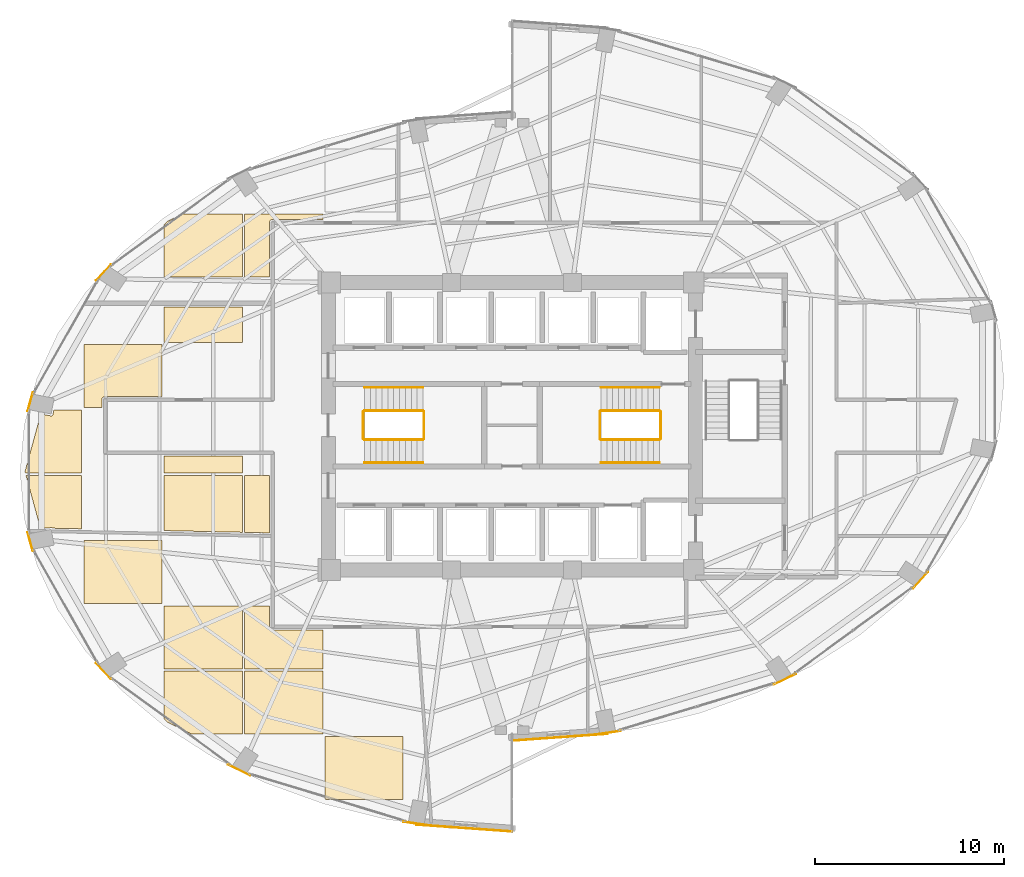
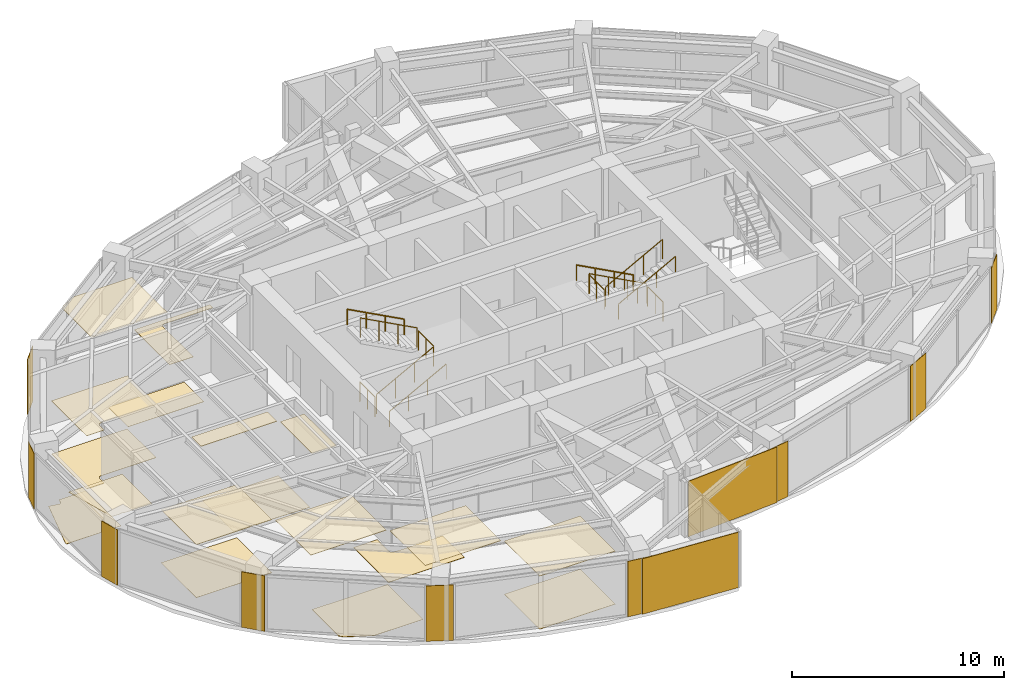
# One storey, part 23 of 24: 29 coverings, 12 railings.
"""IFC4 building model written with IfcOpenShell, lengths in metres."""

from ifc_helpers import new_model, si_unit, direction, frame, origin, origin_2d, place, context, subcontext, project, spatial, polyline, rectangle, circle, outline, extrude, material, layer, layer_set, type_object, element, save


model = new_model("IFC4")

# Units and contexts
model_context = context("Model", 3, precision=1e-05, world=origin(), true_north=direction((0.0, 1.0)))
body_context = subcontext(model_context, "Body", "Model", "MODEL_VIEW")
ifc_project = project(units=[si_unit("LENGTHUNIT", "METRE"), si_unit("AREAUNIT", "SQUARE_METRE"), si_unit("VOLUMEUNIT", "CUBIC_METRE"), si_unit("PLANEANGLEUNIT", "RADIAN"), si_unit("MASSUNIT", "GRAM", prefix="KILO")], contexts=[model_context])

# Site, building, storey
site_placement = place(None, origin())
site = spatial("IfcSite", under=ifc_project, at=site_placement, CompositionType="ELEMENT")
building_placement = place(site_placement, origin())
building = spatial("IfcBuilding", under=site, at=building_placement, Name="Lazwardi Medical Tower", CompositionType="ELEMENT")
storey_placement = place(building_placement, frame((0.0, 0.0, 129.16796875)))
storey = spatial("IfcBuildingStorey", under=building, at=storey_placement, Name="L33", CompositionType="ELEMENT", Elevation=129.16796875)

# Coverings
ifc_material_1 = material(Name="Anodised bronze aluminium cassette cladding", Category="aluminium")
ifc_layer_1 = layer(ifc_material_1, 0.030029296875)
ifc_layer_set_1 = layer_set([ifc_layer_1], Name="Anodised bronze aluminium cassette cladding")
covering_type_1 = type_object("IfcCoveringType", Name="COV-CLD-BRZ", PredefinedType="CLADDING", material=ifc_layer_set_1)
covering_1_placement = place(storey_placement, frame((41.064208984375, 11.80322265625, 0.0), z_axis=(0.0, 0.0, 1.0), x_axis=(0.989609019093, 0.143784523955, 0.0)))
element("IfcCovering", 1, at=covering_1_placement, inside=storey, type_object=covering_type_1, Name="L33 Mega-column bronze cassette cover M01", PredefinedType="CLADDING", context=body_context, shape_type="SweptSolid", body=[
    extrude(rectangle(XDim=1.392333984375, YDim=0.030029296875, at=origin_2d()), origin(), (0.0, 0.0, 1.0), 3.197998046875),
])
covering_2_placement = place(storey_placement, frame((50.421875, 14.634521484375, 0.0), z_axis=(0.0, 0.0, 1.0), x_axis=(0.898679250201, 0.438606435495, 0.0)))
element("IfcCovering", 2, at=covering_2_placement, inside=storey, type_object=covering_type_1, Name="L33 Mega-column bronze cassette cover M02", PredefinedType="CLADDING", context=body_context, shape_type="SweptSolid", body=[
    extrude(rectangle(XDim=1.2998046875, YDim=0.030029296875, at=origin_2d()), origin(), (0.0, 0.0, 1.0), 3.197998046875),
])
for number, where, z_axis, x_axis, name in (
    (3, (57.583740234375, 19.86572265625, 0.0), (0.0, 0.0, 1.0), (0.674925949214, 0.737885467453, 0.0), "L33 Mega-column bronze cassette cover M03"),
    (4, (14.416259765625, 36.13427734375, 0.0), (0.0, 0.0, 1.0), (-0.674925949214, -0.737885467453, 0.0), "L33 Mega-column bronze cassette cover M11"),
):
    element("IfcCovering", number, at=place(storey_placement, frame(where, z_axis=z_axis, x_axis=x_axis)), inside=storey, type_object=covering_type_1, Name=name, PredefinedType="CLADDING", context=body_context, shape_type="SweptSolid", body=[
        extrude(rectangle(XDim=1.15625, YDim=0.030029296875, at=origin_2d()), origin(), (0.0, 0.0, 1.0), 3.197998046875),
    ])
for number, where, z_axis, x_axis, name in (
    (5, (10.540283203125, 29.299072265625, 0.0), (0.0, 0.0, 1.0), (-0.262696108164, -0.964878621774, 0.0), "L33 Mega-column bronze cassette cover M12"),
    (6, (10.540283203125, 21.90087890625, 0.0), (0.0, 0.0, 1.0), (0.262696108164, -0.964878621774, 0.0), "L33 Mega-column bronze cassette cover M13"),
):
    element("IfcCovering", number, at=place(storey_placement, frame(where, z_axis=z_axis, x_axis=x_axis)), inside=storey, type_object=covering_type_1, Name=name, PredefinedType="CLADDING", context=body_context, shape_type="SweptSolid", body=[
        extrude(rectangle(XDim=1.04296875, YDim=0.030029296875, at=origin_2d()), origin(), (0.0, 0.0, 1.0), 3.197998046875),
    ])
covering_3_placement = place(storey_placement, frame((14.416259765625, 15.06591796875, 0.0), z_axis=(0.0, 0.0, 1.0), x_axis=(0.674925949214, -0.737885467453, 0.0)))
element("IfcCovering", 7, at=covering_3_placement, inside=storey, type_object=covering_type_1, Name="L33 Mega-column bronze cassette cover M14", PredefinedType="CLADDING", context=body_context, shape_type="SweptSolid", body=[
    extrude(rectangle(XDim=1.15625, YDim=0.030029296875, at=origin_2d()), origin(), (0.0, 0.0, 1.0), 3.197998046875),
])
covering_4_placement = place(storey_placement, frame((21.578125, 9.83447265625, 0.0), z_axis=(0.0, 0.0, 1.0), x_axis=(0.898679250201, -0.438606435495, 0.0)))
element("IfcCovering", 8, at=covering_4_placement, inside=storey, type_object=covering_type_1, Name="L33 Mega-column bronze cassette cover M15", PredefinedType="CLADDING", context=body_context, shape_type="SweptSolid", body=[
    extrude(rectangle(XDim=1.2998046875, YDim=0.030029296875, at=origin_2d()), origin(), (0.0, 0.0, 1.0), 3.197998046875),
])
covering_5_placement = place(storey_placement, frame((30.935791015625, 7.00341796875, 0.0), z_axis=(0.0, 0.0, 1.0), x_axis=(0.989609019093, -0.143784523955, 0.0)))
element("IfcCovering", 9, at=covering_5_placement, inside=storey, type_object=covering_type_1, Name="L33 Mega-column bronze cassette cover M16", PredefinedType="CLADDING", context=body_context, shape_type="SweptSolid", body=[
    extrude(rectangle(XDim=1.392333984375, YDim=0.030029296875, at=origin_2d()), origin(), (0.0, 0.0, 1.0), 3.197998046875),
])
ifc_material_2 = material(Name="Turquoise glazed ceramic tilework cladding", Category="masonry")
ifc_layer_2 = layer(ifc_material_2, 0.034912109375)
ifc_layer_set_2 = layer_set([ifc_layer_2], Name="Turquoise glazed ceramic tilework cladding")
covering_type_2 = type_object("IfcCoveringType", Name="COV-CLD-TRQ", PredefinedType="CLADDING", material=ifc_layer_set_2)
covering_6_placement = place(storey_placement, frame((38.533203125, 11.56591796875, 0.0), z_axis=(0.0, 0.0, 1.0), x_axis=(0.997431665415, 0.07162452672, 0.0)))
element("IfcCovering", 10, at=covering_6_placement, inside=storey, type_object=covering_type_2, Name="L33 Turquoise glazed ceramic tilework cladding", PredefinedType="CLADDING", context=body_context, shape_type="SweptSolid", body=[
    extrude(rectangle(XDim=5.05419921875, YDim=0.034912109375, at=origin_2d()), origin(), (0.0, 0.0, 1.0), 3.197998046875),
])
covering_7_placement = place(storey_placement, frame((33.466552734375, 6.76611328125, 0.0), z_axis=(0.0, 0.0, 1.0), x_axis=(0.997431165357, -0.071631490105, 0.0)))
element("IfcCovering", 11, at=covering_7_placement, inside=storey, type_object=covering_type_2, Name="L33 Turquoise glazed ceramic tilework cladding", PredefinedType="CLADDING", context=body_context, shape_type="SweptSolid", body=[
    extrude(rectangle(XDim=5.0537109375, YDim=0.034912109375, at=origin_2d()), origin(), (0.0, 0.0, 1.0), 3.197998046875),
])
ifc_material_3 = material(Name="Acoustic mineral fibre tile")
ifc_layer_3 = layer(ifc_material_3, 0.02490234375)
ifc_layer_set_3 = layer_set([ifc_layer_3], Name="Acoustic mineral fibre tile")
covering_type_3 = type_object("IfcCoveringType", Name="COV-CLG-01", PredefinedType="CEILING", material=ifc_layer_set_3)
covering_8_placement = place(storey_placement, frame((0.0, 0.0, 3.052978515625)))
element("IfcCovering", 12, at=covering_8_placement, inside=storey, type_object=covering_type_3, Name="L33 Clinical Acoustic Ceiling 1", PredefinedType="CEILING", context=body_context, shape_type="SweptSolid", body=[
    extrude(outline(polyline([(10.314208984375, 25.412353515625), (11.0732421875, 22.630859375), (11.49560546875, 22.62158203125), (11.643798828125, 22.651123046875), (11.6513671875, 22.652099609375), (11.6591796875, 22.652587890625), (11.6669921875, 22.652099609375), (11.6748046875, 22.651123046875), (11.682373046875, 22.649169921875), (11.689697265625, 22.646484375), (11.697021484375, 22.643310546875), (11.70361328125, 22.63916015625), (11.7099609375, 22.634521484375), (11.7158203125, 22.62939453125), (11.720947265625, 22.62353515625), (11.7255859375, 22.6171875), (11.72607421875, 22.61669921875), (13.2529296875, 22.58349609375), (13.2529296875, 25.412353515625), (10.314208984375, 25.412353515625)])), origin(), (0.0, 0.0, 1.0), 0.025146484375),
])
covering_9_placement = place(storey_placement, frame((0.0, 0.0, 3.052978515625)))
element("IfcCovering", 13, at=covering_9_placement, inside=storey, type_object=covering_type_3, Name="L33 Clinical Acoustic Ceiling 2", PredefinedType="CEILING", context=body_context, shape_type="SweptSolid", body=[
    extrude(outline(polyline([(17.5029296875, 18.63232421875), (17.5029296875, 21.96240234375), (13.372802734375, 21.96240234375), (13.372802734375, 18.63232421875), (17.5029296875, 18.63232421875)])), origin(), (0.0, 0.0, 1.0), 0.025146484375),
])
covering_10_placement = place(storey_placement, frame((0.0, 0.0, 3.052978515625)))
element("IfcCovering", 14, at=covering_10_placement, inside=storey, type_object=covering_type_3, Name="L33 Clinical Acoustic Ceiling 3", PredefinedType="CEILING", context=body_context, shape_type="SweptSolid", body=[
    extrude(outline(polyline([(14.324951171875, 28.982421875), (14.324951171875, 29.39990234375), (14.3251953125, 29.404296875), (14.32568359375, 29.41357421875), (14.326416015625, 29.42041015625), (14.32763671875, 29.4296875), (14.3291015625, 29.43798828125), (14.33154296875, 29.447265625), (14.33349609375, 29.4541015625), (14.336669921875, 29.462890625), (14.340087890625, 29.470703125), (14.343994140625, 29.479248046875), (14.34765625, 29.486083984375), (14.352294921875, 29.493896484375), (14.35693359375, 29.500732421875), (14.362548828125, 29.50830078125), (14.3671875, 29.513916015625), (14.373291015625, 29.520751953125), (14.37939453125, 29.526611328125), (14.38623046875, 29.532958984375), (14.391845703125, 29.53759765625), (14.3994140625, 29.543212890625), (14.406005859375, 29.547607421875), (14.4140625, 29.552490234375), (14.4208984375, 29.555908203125), (14.42919921875, 29.56005859375), (14.43701171875, 29.563232421875), (14.44580078125, 29.56640625), (14.452880859375, 29.568603515625), (14.4619140625, 29.57080078125), (14.47021484375, 29.572509765625), (14.4794921875, 29.57373046875), (14.486328125, 29.574462890625), (14.49560546875, 29.574951171875), (14.5, 29.574951171875), (17.5029296875, 29.574951171875), (17.5029296875, 32.3125), (13.372802734375, 32.3125), (13.372802734375, 28.982421875), (14.324951171875, 28.982421875)])), origin(), (0.0, 0.0, 1.0), 0.025146484375),
])
covering_11_placement = place(storey_placement, frame((0.0, 0.0, 3.052978515625)))
element("IfcCovering", 15, at=covering_11_placement, inside=storey, type_object=covering_type_3, Name="L33 Clinical Acoustic Ceiling 4", PredefinedType="CEILING", context=body_context, shape_type="SweptSolid", body=[
    extrude(outline(polyline([(21.7529296875, 15.182373046875), (21.7529296875, 18.512451171875), (17.622802734375, 18.512451171875), (17.622802734375, 15.182373046875), (21.7529296875, 15.182373046875)])), origin(), (0.0, 0.0, 1.0), 0.025146484375),
])
covering_12_placement = place(storey_placement, frame((0.0, 0.0, 3.052978515625)))
element("IfcCovering", 16, at=covering_12_placement, inside=storey, type_object=covering_type_3, Name="L33 Clinical Acoustic Ceiling 5", PredefinedType="CEILING", context=body_context, shape_type="SweptSolid", body=[
    extrude(outline(polyline([(21.7529296875, 26.425048828125), (17.622802734375, 26.425048828125), (17.622802734375, 25.532470703125), (21.7529296875, 25.532470703125), (21.7529296875, 26.425048828125)])), origin(), (0.0, 0.0, 1.0), 0.025146484375),
])
covering_13_placement = place(storey_placement, frame((0.0, 0.0, 3.052978515625)))
element("IfcCovering", 17, at=covering_13_placement, inside=storey, type_object=covering_type_3, Name="L33 Clinical Acoustic Ceiling 6", PredefinedType="CEILING", context=body_context, shape_type="SweptSolid", body=[
    extrude(outline(polyline([(18.55078125, 39.21240234375), (17.791259765625, 38.84228515625), (17.622802734375, 38.658935546875), (17.622802734375, 35.88232421875), (21.7529296875, 35.88232421875), (21.7529296875, 39.21240234375), (18.55078125, 39.21240234375)])), origin(), (0.0, 0.0, 1.0), 0.025146484375),
])
covering_14_placement = place(storey_placement, frame((0.0, 0.0, 3.052978515625)))
element("IfcCovering", 18, at=covering_14_placement, inside=storey, type_object=covering_type_3, Name="L33 Clinical Acoustic Ceiling 7", PredefinedType="CEILING", context=body_context, shape_type="SweptSolid", body=[
    extrude(outline(polyline([(26.0029296875, 11.732421875), (26.0029296875, 15.0625), (21.872802734375, 15.0625), (21.872802734375, 11.732421875), (26.0029296875, 11.732421875)])), origin(), (0.0, 0.0, 1.0), 0.025146484375),
])
covering_15_placement = place(storey_placement, frame((0.0, 0.0, 3.052978515625)))
element("IfcCovering", 19, at=covering_15_placement, inside=storey, type_object=covering_type_3, Name="L33 Clinical Acoustic Ceiling 8", PredefinedType="CEILING", context=body_context, shape_type="SweptSolid", body=[
    extrude(outline(polyline([(21.872802734375, 22.396728515625), (23.175048828125, 22.36865234375), (23.175048828125, 25.412353515625), (21.872802734375, 25.412353515625), (21.872802734375, 22.396728515625)])), origin(), (0.0, 0.0, 1.0), 0.025146484375),
])
covering_16_placement = place(storey_placement, frame((0.0, 0.0, 3.052978515625)))
element("IfcCovering", 20, at=covering_16_placement, inside=storey, type_object=covering_type_3, Name="L33 Clinical Acoustic Ceiling 9", PredefinedType="CEILING", context=body_context, shape_type="SweptSolid", body=[
    extrude(outline(polyline([(26.122802734375, 8.2998046875), (26.142822265625, 8.2900390625), (26.195068359375, 8.282470703125), (30.2529296875, 8.282470703125), (30.2529296875, 11.6123046875), (26.122802734375, 11.6123046875), (26.122802734375, 8.2998046875)])), origin(), (0.0, 0.0, 1.0), 0.025146484375),
])
ifc_material_4 = material(Name="Anti-static hospital vinyl sheet flooring")
ifc_layer_4 = layer(ifc_material_4, 0.014892578125)
ifc_layer_set_4 = layer_set([ifc_layer_4], Name="Anti-static hospital vinyl sheet flooring")
covering_type_4 = type_object("IfcCoveringType", Name="COV-FLR-01", PredefinedType="FLOORING", material=ifc_layer_set_4)
covering_17_placement = place(storey_placement, origin())
element("IfcCovering", 21, at=covering_17_placement, inside=storey, type_object=covering_type_4, Name="L33 Clinical Vinyl Flooring 1", PredefinedType="FLOORING", context=body_context, shape_type="SweptSolid", body=[
    extrude(outline(polyline([(11.78759765625, 28.8623046875), (11.73779296875, 28.61181640625), (11.73583984375, 28.604248046875), (11.733154296875, 28.5966796875), (11.72998046875, 28.589599609375), (11.725830078125, 28.5830078125), (11.72119140625, 28.57666015625), (11.7158203125, 28.57080078125), (11.710205078125, 28.565673828125), (11.70361328125, 28.560791015625), (11.697021484375, 28.556884765625), (11.68994140625, 28.553466796875), (11.6826171875, 28.55078125), (11.6748046875, 28.548828125), (11.6669921875, 28.5478515625), (11.6591796875, 28.54736328125), (11.651611328125, 28.5478515625), (11.643798828125, 28.548828125), (11.097412109375, 28.65771484375), (10.262939453125, 25.60009765625), (10.281494140625, 25.532470703125), (13.2529296875, 25.532470703125), (13.2529296875, 28.8623046875), (11.78759765625, 28.8623046875)])), origin(), (0.0, 0.0, 1.0), 0.01513671875),
])
covering_18_placement = place(storey_placement, origin())
element("IfcCovering", 22, at=covering_18_placement, inside=storey, type_object=covering_type_4, Name="L33 Clinical Vinyl Flooring 2", PredefinedType="FLOORING", context=body_context, shape_type="SweptSolid", body=[
    extrude(outline(polyline([(17.5029296875, 18.63232421875), (17.5029296875, 21.96240234375), (13.372802734375, 21.96240234375), (13.372802734375, 18.63232421875), (17.5029296875, 18.63232421875)])), origin(), (0.0, 0.0, 1.0), 0.01513671875),
])
covering_19_placement = place(storey_placement, origin())
element("IfcCovering", 23, at=covering_19_placement, inside=storey, type_object=covering_type_4, Name="L33 Clinical Vinyl Flooring 3", PredefinedType="FLOORING", context=body_context, shape_type="SweptSolid", body=[
    extrude(outline(polyline([(14.324951171875, 28.982421875), (14.324951171875, 29.39990234375), (14.3251953125, 29.404296875), (14.32568359375, 29.41357421875), (14.326416015625, 29.42041015625), (14.32763671875, 29.4296875), (14.3291015625, 29.43798828125), (14.33154296875, 29.447265625), (14.33349609375, 29.4541015625), (14.336669921875, 29.462890625), (14.340087890625, 29.470703125), (14.343994140625, 29.479248046875), (14.34765625, 29.486083984375), (14.352294921875, 29.493896484375), (14.35693359375, 29.500732421875), (14.362548828125, 29.50830078125), (14.3671875, 29.513916015625), (14.373291015625, 29.520751953125), (14.37939453125, 29.526611328125), (14.38623046875, 29.532958984375), (14.391845703125, 29.53759765625), (14.3994140625, 29.543212890625), (14.406005859375, 29.547607421875), (14.4140625, 29.552490234375), (14.4208984375, 29.555908203125), (14.42919921875, 29.56005859375), (14.43701171875, 29.563232421875), (14.44580078125, 29.56640625), (14.452880859375, 29.568603515625), (14.4619140625, 29.57080078125), (14.47021484375, 29.572509765625), (14.4794921875, 29.57373046875), (14.486328125, 29.574462890625), (14.49560546875, 29.574951171875), (14.5, 29.574951171875), (17.5029296875, 29.574951171875), (17.5029296875, 32.3125), (13.372802734375, 32.3125), (13.372802734375, 28.982421875), (14.324951171875, 28.982421875)])), origin(), (0.0, 0.0, 1.0), 0.01513671875),
])
covering_20_placement = place(storey_placement, origin())
element("IfcCovering", 24, at=covering_20_placement, inside=storey, type_object=covering_type_4, Name="L33 Clinical Vinyl Flooring 4", PredefinedType="FLOORING", context=body_context, shape_type="SweptSolid", body=[
    extrude(outline(polyline([(17.622802734375, 12.541015625), (17.791259765625, 12.357666015625), (19.07470703125, 11.732421875), (21.7529296875, 11.732421875), (21.7529296875, 15.0625), (17.622802734375, 15.0625), (17.622802734375, 12.541015625)])), origin(), (0.0, 0.0, 1.0), 0.01513671875),
])
covering_21_placement = place(storey_placement, origin())
element("IfcCovering", 25, at=covering_21_placement, inside=storey, type_object=covering_type_4, Name="L33 Clinical Vinyl Flooring 5", PredefinedType="FLOORING", context=body_context, shape_type="SweptSolid", body=[
    extrude(outline(polyline([(17.622802734375, 22.489013671875), (21.7529296875, 22.3994140625), (21.7529296875, 25.412353515625), (17.622802734375, 25.412353515625), (17.622802734375, 22.489013671875)])), origin(), (0.0, 0.0, 1.0), 0.01513671875),
])
covering_22_placement = place(storey_placement, origin())
element("IfcCovering", 26, at=covering_22_placement, inside=storey, type_object=covering_type_4, Name="L33 Clinical Vinyl Flooring 6", PredefinedType="FLOORING", context=body_context, shape_type="SweptSolid", body=[
    extrude(outline(polyline([(21.7529296875, 34.300048828125), (17.622802734375, 34.300048828125), (17.622802734375, 32.432373046875), (21.7529296875, 32.432373046875), (21.7529296875, 34.300048828125)])), origin(), (0.0, 0.0, 1.0), 0.01513671875),
])
covering_23_placement = place(storey_placement, origin())
element("IfcCovering", 27, at=covering_23_placement, inside=storey, type_object=covering_type_4, Name="L33 Clinical Vinyl Flooring 7", PredefinedType="FLOORING", context=body_context, shape_type="SweptSolid", body=[
    extrude(outline(polyline([(26.0029296875, 17.22509765625), (23.35009765625, 17.22509765625), (23.345703125, 17.22509765625), (23.33642578125, 17.2255859375), (23.32958984375, 17.226318359375), (23.3203125, 17.2275390625), (23.31201171875, 17.229248046875), (23.302734375, 17.2314453125), (23.2958984375, 17.233642578125), (23.287109375, 17.23681640625), (23.279296875, 17.239990234375), (23.270751953125, 17.243896484375), (23.263916015625, 17.24755859375), (23.256103515625, 17.25244140625), (23.249267578125, 17.2568359375), (23.24169921875, 17.262451171875), (23.236083984375, 17.26708984375), (23.229248046875, 17.273193359375), (23.223388671875, 17.279296875), (23.217041015625, 17.2861328125), (23.21240234375, 17.291748046875), (23.206787109375, 17.29931640625), (23.202392578125, 17.305908203125), (23.197509765625, 17.31396484375), (23.194091796875, 17.32080078125), (23.18994140625, 17.3291015625), (23.186767578125, 17.3369140625), (23.18359375, 17.345703125), (23.181396484375, 17.352783203125), (23.17919921875, 17.36181640625), (23.177490234375, 17.370361328125), (23.17626953125, 17.37939453125), (23.175537109375, 17.386474609375), (23.175048828125, 17.395751953125), (23.175048828125, 17.39990234375), (23.175048828125, 18.512451171875), (21.872802734375, 18.512451171875), (21.872802734375, 15.182373046875), (26.0029296875, 15.182373046875), (26.0029296875, 17.22509765625)])), origin(), (0.0, 0.0, 1.0), 0.01513671875),
])
covering_24_placement = place(storey_placement, origin())
element("IfcCovering", 28, at=covering_24_placement, inside=storey, type_object=covering_type_4, Name="L33 Clinical Vinyl Flooring 8", PredefinedType="FLOORING", context=body_context, shape_type="SweptSolid", body=[
    extrude(outline(polyline([(23.175048828125, 35.88232421875), (23.175048828125, 38.75), (23.175048828125, 38.75439453125), (23.175537109375, 38.763671875), (23.17626953125, 38.7705078125), (23.177490234375, 38.77978515625), (23.17919921875, 38.7880859375), (23.181396484375, 38.797119140625), (23.18359375, 38.80419921875), (23.186767578125, 38.81298828125), (23.18994140625, 38.82080078125), (23.194091796875, 38.8291015625), (23.197509765625, 38.8359375), (23.202392578125, 38.843994140625), (23.206787109375, 38.8505859375), (23.21240234375, 38.858154296875), (23.217041015625, 38.86376953125), (23.223388671875, 38.87060546875), (23.229248046875, 38.876708984375), (23.236083984375, 38.8828125), (23.24169921875, 38.887451171875), (23.249267578125, 38.89306640625), (23.256103515625, 38.897705078125), (23.263916015625, 38.90234375), (23.270751953125, 38.906005859375), (23.279296875, 38.909912109375), (23.287109375, 38.913330078125), (23.2958984375, 38.91650390625), (23.302734375, 38.91845703125), (23.31201171875, 38.9208984375), (23.3203125, 38.92236328125), (23.32958984375, 38.923583984375), (23.33642578125, 38.92431640625), (23.345703125, 38.9248046875), (23.35009765625, 38.925048828125), (26.0029296875, 38.925048828125), (26.0029296875, 39.21240234375), (21.872802734375, 39.21240234375), (21.872802734375, 35.88232421875), (23.175048828125, 35.88232421875)])), origin(), (0.0, 0.0, 1.0), 0.01513671875),
])
covering_25_placement = place(storey_placement, origin())
element("IfcCovering", 29, at=covering_25_placement, inside=storey, type_object=covering_type_4, Name="L33 Clinical Vinyl Flooring 9", PredefinedType="FLOORING", context=body_context, shape_type="SweptSolid", body=[
    extrude(outline(polyline([(26.122802734375, 8.2998046875), (26.142822265625, 8.2900390625), (26.195068359375, 8.282470703125), (30.2529296875, 8.282470703125), (30.2529296875, 11.6123046875), (26.122802734375, 11.6123046875), (26.122802734375, 8.2998046875)])), origin(), (0.0, 0.0, 1.0), 0.01513671875),
])

# Railings
ifc_material_5 = material(Name="Stainless steel Grade 316", Category="steel")
railing_type_1 = type_object("IfcRailingType", Name="RLG-GRD-1150", PredefinedType="GUARDRAIL", material=ifc_material_5)
railing_1_placement = place(storey_placement, frame((28.199951171875, 27.2900390625, 0.165771484375)))
element("IfcRailing", 30, at=railing_1_placement, inside=storey, type_object=railing_type_1, Name="L33 ST1 stair guard 1", PredefinedType="GUARDRAIL", context=body_context, shape_type="SweptSolid", body=[
    extrude(circle(Radius=0.02392578125, at=origin_2d()), frame((0.0, 0.0, 1.1259765625), z_axis=(0.881783298633, 0.0, 0.471654761719), x_axis=(0.0, 1.0, 0.0)), (0.0, 0.0, 1.0), 3.515625),
    extrude(circle(Radius=0.02099609375, at=origin_2d()), origin(), (0.0, 0.0, 1.0), 1.099853515625),
    extrude(circle(Radius=0.02099609375, at=origin_2d()), frame((1.033447265625, 0.0, 0.552734375)), (0.0, 0.0, 1.0), 1.099853515625),
    extrude(circle(Radius=0.02099609375, at=origin_2d()), frame((2.066650390625, 0.0, 1.10546875)), (0.0, 0.0, 1.0), 1.099853515625),
    extrude(circle(Radius=0.02099609375, at=origin_2d()), frame((3.10009765625, 0.0, 1.658203125)), (0.0, 0.0, 1.0), 1.099853515625),
])
railing_2_placement = place(storey_placement, frame((31.35009765625, 27.340087890625, 1.823974609375)))
element("IfcRailing", 31, at=railing_2_placement, inside=storey, type_object=railing_type_1, Name="L33 ST1 stair guard 2", PredefinedType="GUARDRAIL", context=body_context, shape_type="SweptSolid", body=[
    extrude(circle(Radius=0.02392578125, at=origin_2d()), frame((0.0, 0.0, 1.1259765625), z_axis=(0.0, 1.0, 0.0), x_axis=(-1.0, 0.0, 0.0)), (0.0, 0.0, 1.0), 1.43994140625),
    extrude(circle(Radius=0.02099609375, at=origin_2d()), origin(), (0.0, 0.0, 1.0), 1.099853515625),
    extrude(circle(Radius=0.02099609375, at=origin_2d()), frame((0.0, 0.719970703125, 0.0)), (0.0, 0.0, 1.0), 1.099853515625),
    extrude(circle(Radius=0.02099609375, at=origin_2d()), frame((0.0, 1.43994140625, 0.0)), (0.0, 0.0, 1.0), 1.099853515625),
])
railing_3_placement = place(storey_placement, frame((31.300048828125, 28.830078125, 1.98974609375)))
element("IfcRailing", 32, at=railing_3_placement, inside=storey, type_object=railing_type_1, Name="L33 ST1 stair guard 3", PredefinedType="GUARDRAIL", context=body_context, shape_type="SweptSolid", body=[
    extrude(circle(Radius=0.02392578125, at=origin_2d()), frame((0.0, 0.0, 1.1259765625), z_axis=(-0.881783298633, 0.0, 0.471654761719), x_axis=(0.0, -1.0, 0.0)), (0.0, 0.0, 1.0), 3.515625),
    extrude(circle(Radius=0.02099609375, at=origin_2d()), origin(), (0.0, 0.0, 1.0), 1.099853515625),
    extrude(circle(Radius=0.02099609375, at=origin_2d()), frame((-1.033447265625, 0.0, 0.552734375)), (0.0, 0.0, 1.0), 1.099853515625),
    extrude(circle(Radius=0.02099609375, at=origin_2d()), frame((-2.066650390625, 0.0, 1.10546875)), (0.0, 0.0, 1.0), 1.099853515625),
    extrude(circle(Radius=0.02099609375, at=origin_2d()), frame((-3.10009765625, 0.0, 1.658203125)), (0.0, 0.0, 1.0), 1.099853515625),
])
railing_4_placement = place(storey_placement, frame((28.14990234375, 27.340087890625, 0.0)))
element("IfcRailing", 33, at=railing_4_placement, inside=storey, type_object=railing_type_1, Name="L33 ST1 stair guard 4", PredefinedType="GUARDRAIL", context=body_context, shape_type="SweptSolid", body=[
    extrude(circle(Radius=0.02392578125, at=origin_2d()), frame((0.0, 0.0, 1.1259765625), z_axis=(0.0, 1.0, 0.0), x_axis=(-1.0, 0.0, 0.0)), (0.0, 0.0, 1.0), 1.43994140625),
    extrude(circle(Radius=0.02099609375, at=origin_2d()), origin(), (0.0, 0.0, 1.0), 1.099853515625),
    extrude(circle(Radius=0.02099609375, at=origin_2d()), frame((0.0, 0.719970703125, 0.0)), (0.0, 0.0, 1.0), 1.099853515625),
    extrude(circle(Radius=0.02099609375, at=origin_2d()), frame((0.0, 1.43994140625, 0.0)), (0.0, 0.0, 1.0), 1.099853515625),
])
railing_5_placement = place(storey_placement, frame((43.800048828125, 28.830078125, 0.165771484375)))
element("IfcRailing", 34, at=railing_5_placement, inside=storey, type_object=railing_type_1, Name="L33 ST2 stair guard 1", PredefinedType="GUARDRAIL", context=body_context, shape_type="SweptSolid", body=[
    extrude(circle(Radius=0.02392578125, at=origin_2d()), frame((0.0, 0.0, 1.1259765625), z_axis=(-0.881783298633, 0.0, 0.471654761719), x_axis=(0.0, -1.0, 0.0)), (0.0, 0.0, 1.0), 3.515625),
    extrude(circle(Radius=0.02099609375, at=origin_2d()), origin(), (0.0, 0.0, 1.0), 1.099853515625),
    extrude(circle(Radius=0.02099609375, at=origin_2d()), frame((-1.033447265625, 0.0, 0.552734375)), (0.0, 0.0, 1.0), 1.099853515625),
    extrude(circle(Radius=0.02099609375, at=origin_2d()), frame((-2.066650390625, 0.0, 1.10546875)), (0.0, 0.0, 1.0), 1.099853515625),
    extrude(circle(Radius=0.02099609375, at=origin_2d()), frame((-3.10009765625, 0.0, 1.658203125)), (0.0, 0.0, 1.0), 1.099853515625),
])
railing_6_placement = place(storey_placement, frame((40.64990234375, 28.780029296875, 1.823974609375)))
element("IfcRailing", 35, at=railing_6_placement, inside=storey, type_object=railing_type_1, Name="L33 ST2 stair guard 2", PredefinedType="GUARDRAIL", context=body_context, shape_type="SweptSolid", body=[
    extrude(circle(Radius=0.02392578125, at=origin_2d()), frame((0.0, 0.0, 1.1259765625), z_axis=(0.0, -1.0, 0.0), x_axis=(1.0, 0.0, 0.0)), (0.0, 0.0, 1.0), 1.43994140625),
    extrude(circle(Radius=0.02099609375, at=origin_2d()), origin(), (0.0, 0.0, 1.0), 1.099853515625),
    extrude(circle(Radius=0.02099609375, at=origin_2d()), frame((0.0, -0.719970703125, 0.0)), (0.0, 0.0, 1.0), 1.099853515625),
    extrude(circle(Radius=0.02099609375, at=origin_2d()), frame((0.0, -1.43994140625, 0.0)), (0.0, 0.0, 1.0), 1.099853515625),
])
railing_7_placement = place(storey_placement, frame((40.699951171875, 27.2900390625, 1.98974609375)))
element("IfcRailing", 36, at=railing_7_placement, inside=storey, type_object=railing_type_1, Name="L33 ST2 stair guard 3", PredefinedType="GUARDRAIL", context=body_context, shape_type="SweptSolid", body=[
    extrude(circle(Radius=0.02392578125, at=origin_2d()), frame((0.0, 0.0, 1.1259765625), z_axis=(0.881783298633, 0.0, 0.471654761719), x_axis=(0.0, 1.0, 0.0)), (0.0, 0.0, 1.0), 3.515625),
    extrude(circle(Radius=0.02099609375, at=origin_2d()), origin(), (0.0, 0.0, 1.0), 1.099853515625),
    extrude(circle(Radius=0.02099609375, at=origin_2d()), frame((1.033447265625, 0.0, 0.552734375)), (0.0, 0.0, 1.0), 1.099853515625),
    extrude(circle(Radius=0.02099609375, at=origin_2d()), frame((2.066650390625, 0.0, 1.10546875)), (0.0, 0.0, 1.0), 1.099853515625),
    extrude(circle(Radius=0.02099609375, at=origin_2d()), frame((3.10009765625, 0.0, 1.658203125)), (0.0, 0.0, 1.0), 1.099853515625),
])
railing_8_placement = place(storey_placement, frame((43.85009765625, 28.780029296875, 0.0)))
element("IfcRailing", 37, at=railing_8_placement, inside=storey, type_object=railing_type_1, Name="L33 ST2 stair guard 4", PredefinedType="GUARDRAIL", context=body_context, shape_type="SweptSolid", body=[
    extrude(circle(Radius=0.02392578125, at=origin_2d()), frame((0.0, 0.0, 1.1259765625), z_axis=(0.0, -1.0, 0.0), x_axis=(1.0, 0.0, 0.0)), (0.0, 0.0, 1.0), 1.43994140625),
    extrude(circle(Radius=0.02099609375, at=origin_2d()), origin(), (0.0, 0.0, 1.0), 1.099853515625),
    extrude(circle(Radius=0.02099609375, at=origin_2d()), frame((0.0, -0.719970703125, 0.0)), (0.0, 0.0, 1.0), 1.099853515625),
    extrude(circle(Radius=0.02099609375, at=origin_2d()), frame((0.0, -1.43994140625, 0.0)), (0.0, 0.0, 1.0), 1.099853515625),
])
railing_type_2 = type_object("IfcRailingType", Name="RLG-HND-920", PredefinedType="HANDRAIL", material=ifc_material_5)
railing_9_placement = place(storey_placement, frame((28.199951171875, 26.070068359375, 0.165771484375)))
element("IfcRailing", 38, at=railing_9_placement, inside=storey, type_object=railing_type_2, Name="L33 ST1 stair handrail 1", PredefinedType="HANDRAIL", context=body_context, shape_type="SweptSolid", body=[
    extrude(circle(Radius=0.02392578125, at=origin_2d()), frame((0.0, 0.0, 0.8857421875), z_axis=(0.881783298633, 0.0, 0.471654761719), x_axis=(0.0, 1.0, 0.0)), (0.0, 0.0, 1.0), 3.515625),
    extrude(circle(Radius=0.02099609375, at=origin_2d()), origin(), (0.0, 0.0, 1.0), 0.85986328125),
    extrude(circle(Radius=0.02099609375, at=origin_2d()), frame((1.033447265625, 0.0, 0.552734375)), (0.0, 0.0, 1.0), 0.85986328125),
    extrude(circle(Radius=0.02099609375, at=origin_2d()), frame((2.066650390625, 0.0, 1.10546875)), (0.0, 0.0, 1.0), 0.85986328125),
    extrude(circle(Radius=0.02099609375, at=origin_2d()), frame((3.10009765625, 0.0, 1.658203125)), (0.0, 0.0, 1.0), 0.85986328125),
])
for number, where, name in (
    (39, (31.300048828125, 30.050048828125, 1.98974609375), "L33 ST1 stair handrail 2"),
    (40, (43.800048828125, 30.050048828125, 0.165771484375), "L33 ST2 stair handrail 1"),
):
    element("IfcRailing", number, at=place(storey_placement, frame(where)), inside=storey, type_object=railing_type_2, Name=name, PredefinedType="HANDRAIL", context=body_context, shape_type="SweptSolid", body=[
        extrude(circle(Radius=0.02392578125, at=origin_2d()), frame((0.0, 0.0, 0.8857421875), z_axis=(-0.881783298633, 0.0, 0.471654761719), x_axis=(0.0, -1.0, 0.0)), (0.0, 0.0, 1.0), 3.515625),
        extrude(circle(Radius=0.02099609375, at=origin_2d()), origin(), (0.0, 0.0, 1.0), 0.85986328125),
        extrude(circle(Radius=0.02099609375, at=origin_2d()), frame((-1.033447265625, 0.0, 0.552734375)), (0.0, 0.0, 1.0), 0.85986328125),
        extrude(circle(Radius=0.02099609375, at=origin_2d()), frame((-2.066650390625, 0.0, 1.10546875)), (0.0, 0.0, 1.0), 0.85986328125),
        extrude(circle(Radius=0.02099609375, at=origin_2d()), frame((-3.10009765625, 0.0, 1.658203125)), (0.0, 0.0, 1.0), 0.85986328125),
    ])
railing_10_placement = place(storey_placement, frame((40.699951171875, 26.070068359375, 1.98974609375)))
element("IfcRailing", 41, at=railing_10_placement, inside=storey, type_object=railing_type_2, Name="L33 ST2 stair handrail 2", PredefinedType="HANDRAIL", context=body_context, shape_type="SweptSolid", body=[
    extrude(circle(Radius=0.02392578125, at=origin_2d()), frame((0.0, 0.0, 0.8857421875), z_axis=(0.881783298633, 0.0, 0.471654761719), x_axis=(0.0, 1.0, 0.0)), (0.0, 0.0, 1.0), 3.515625),
    extrude(circle(Radius=0.02099609375, at=origin_2d()), origin(), (0.0, 0.0, 1.0), 0.85986328125),
    extrude(circle(Radius=0.02099609375, at=origin_2d()), frame((1.033447265625, 0.0, 0.552734375)), (0.0, 0.0, 1.0), 0.85986328125),
    extrude(circle(Radius=0.02099609375, at=origin_2d()), frame((2.066650390625, 0.0, 1.10546875)), (0.0, 0.0, 1.0), 0.85986328125),
    extrude(circle(Radius=0.02099609375, at=origin_2d()), frame((3.10009765625, 0.0, 1.658203125)), (0.0, 0.0, 1.0), 0.85986328125),
])

save(model, "model.ifc")
